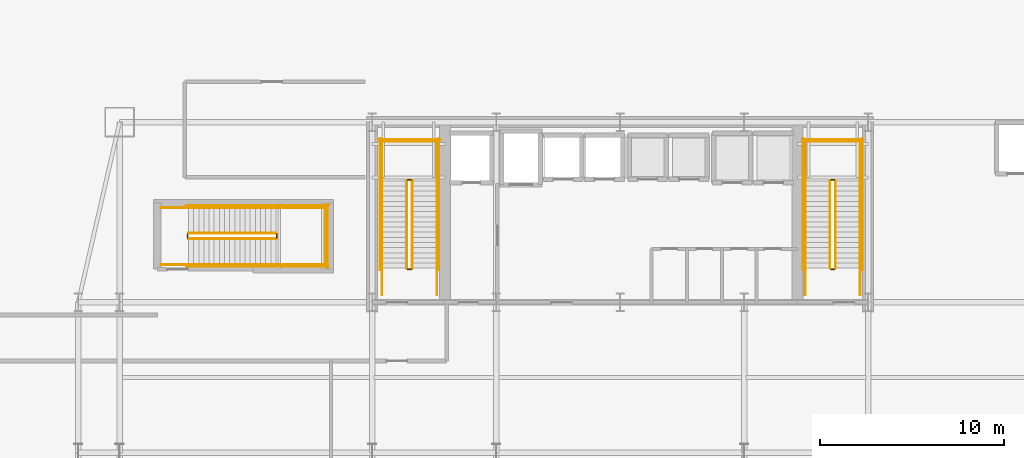
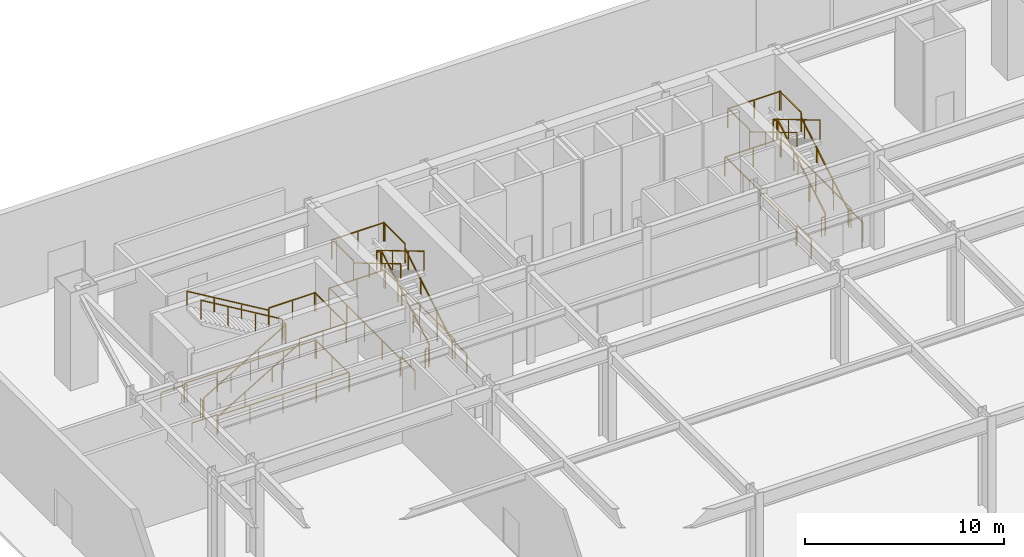
# One storey, part 26 of 30: 42 railings.
"""IFC4 building model written with IfcOpenShell, lengths in metres."""

from ifc_helpers import new_model, si_unit, direction, frame, origin, origin_2d, place, context, subcontext, project, spatial, rectangle, extrude, material, type_object, element, save


model = new_model("IFC4")

# Units and contexts
model_context = context("Model", 3, precision=1e-05, world=origin(), true_north=direction((0.0, 1.0)))
body_context = subcontext(model_context, "Body", "Model", "MODEL_VIEW")
ifc_project = project(units=[si_unit("LENGTHUNIT", "METRE"), si_unit("AREAUNIT", "SQUARE_METRE"), si_unit("VOLUMEUNIT", "CUBIC_METRE"), si_unit("PLANEANGLEUNIT", "RADIAN"), si_unit("MASSUNIT", "GRAM", prefix="KILO")], contexts=[model_context])

# Site, building, storey
site_placement = place(None, origin())
site = spatial("IfcSite", under=ifc_project, at=site_placement, CompositionType="ELEMENT")
building_placement = place(site_placement, origin())
building = spatial("IfcBuilding", under=site, at=building_placement, Name="Haevon Station Towers", CompositionType="ELEMENT")
storey_placement = place(building_placement, origin())
storey = spatial("IfcBuildingStorey", under=building, at=storey_placement, Name="L00", CompositionType="ELEMENT", Elevation=0.0)

# Railings
ifc_material = material(Name="Steel S355", Category="steel")
railing_type_1 = type_object("IfcRailingType", Name="GRD-STR1200", PredefinedType="GUARDRAIL", material=ifc_material)
railing_1_placement = place(storey_placement, frame((26.179931640625, 40.050048828125, 0.166748046875)))
element("IfcRailing", 1, at=railing_1_placement, inside=storey, type_object=railing_type_1, Name="L00 ST1 Stair Guard 1", PredefinedType="GUARDRAIL", context=body_context, shape_type="SweptSolid", body=[
    extrude(rectangle(XDim=0.048095703125, YDim=0.048095703125, at=origin_2d()), frame((0.0, 0.0, 1.17578125), z_axis=(0.0, 0.859299802514, 0.511472237174), x_axis=(-1.0, 0.0, 0.0)), (0.0, 0.0, 1.0), 5.539306640625),
    extrude(rectangle(XDim=0.0419921875, YDim=0.0419921875, at=origin_2d()), origin(), (0.0, 0.0, 1.0), 1.15185546875),
    extrude(rectangle(XDim=0.0419921875, YDim=0.0419921875, at=origin_2d()), frame((0.0, 1.586669921875, 0.9443359375)), (0.0, 0.0, 1.0), 1.15185546875),
    extrude(rectangle(XDim=0.0419921875, YDim=0.0419921875, at=origin_2d()), frame((0.0, 3.17333984375, 1.888916015625)), (0.0, 0.0, 1.0), 1.15185546875),
    extrude(rectangle(XDim=0.0419921875, YDim=0.0419921875, at=origin_2d()), frame((0.0, 4.760009765625, 2.833251953125)), (0.0, 0.0, 1.0), 1.15185546875),
])
railing_2_placement = place(storey_placement, frame((26.1298828125, 44.860107421875, 3.0)))
element("IfcRailing", 2, at=railing_2_placement, inside=storey, type_object=railing_type_1, Name="L00 ST1 Stair Guard 2", PredefinedType="GUARDRAIL", context=body_context, shape_type="SweptSolid", body=[
    extrude(rectangle(XDim=0.048095703125, YDim=0.048095703125, at=origin_2d()), frame((0.0, 0.0, 1.17578125), z_axis=(-1.0, 0.0, 0.0), x_axis=(0.0, -1.0, 0.0)), (0.0, 0.0, 1.0), 0.199951171875),
    extrude(rectangle(XDim=0.0419921875, YDim=0.0419921875, at=origin_2d()), origin(), (0.0, 0.0, 1.0), 1.15185546875),
    extrude(rectangle(XDim=0.0419921875, YDim=0.0419921875, at=origin_2d()), frame((-0.199951171875, 0.0, 0.0)), (0.0, 0.0, 1.0), 1.15185546875),
])
for number, where, name in (
    (3, (27.530029296875, 44.81005859375, 3.0), "L00 ST1 Stair Guard 3"),
    (4, (24.530029296875, 44.81005859375, 3.0), "L00 ST1 Stair Guard 4"),
):
    element("IfcRailing", number, at=place(storey_placement, frame(where)), inside=storey, type_object=railing_type_1, Name=name, PredefinedType="GUARDRAIL", context=body_context, shape_type="SweptSolid", body=[
        extrude(rectangle(XDim=0.048095703125, YDim=0.048095703125, at=origin_2d()), frame((0.0, 0.0, 1.17578125), z_axis=(0.0, 1.0, 0.0), x_axis=(-1.0, 0.0, 0.0)), (0.0, 0.0, 1.0), 2.18994140625),
        extrude(rectangle(XDim=0.0419921875, YDim=0.0419921875, at=origin_2d()), origin(), (0.0, 0.0, 1.0), 1.15185546875),
        extrude(rectangle(XDim=0.0419921875, YDim=0.0419921875, at=origin_2d()), frame((0.0, 2.18994140625, 0.0)), (0.0, 0.0, 1.0), 1.15185546875),
    ])
railing_3_placement = place(storey_placement, frame((27.580078125, 46.949951171875, 3.0)))
element("IfcRailing", 5, at=railing_3_placement, inside=storey, type_object=railing_type_1, Name="L00 ST1 Stair Guard 5", PredefinedType="GUARDRAIL", context=body_context, shape_type="SweptSolid", body=[
    extrude(rectangle(XDim=0.048095703125, YDim=0.048095703125, at=origin_2d()), frame((0.0, 0.0, 1.17578125), z_axis=(-1.0, 0.0, 0.0), x_axis=(0.0, -1.0, 0.0)), (0.0, 0.0, 1.0), 3.10009765625),
    extrude(rectangle(XDim=0.0419921875, YDim=0.0419921875, at=origin_2d()), origin(), (0.0, 0.0, 1.0), 1.15185546875),
    extrude(rectangle(XDim=0.0419921875, YDim=0.0419921875, at=origin_2d()), frame((-1.550048828125, 0.0, 0.0)), (0.0, 0.0, 1.0), 1.15185546875),
    extrude(rectangle(XDim=0.0419921875, YDim=0.0419921875, at=origin_2d()), frame((-3.10009765625, 0.0, 0.0)), (0.0, 0.0, 1.0), 1.15185546875),
])
railing_4_placement = place(storey_placement, frame((25.8798828125, 44.81005859375, 3.166748046875)))
element("IfcRailing", 6, at=railing_4_placement, inside=storey, type_object=railing_type_1, Name="L00 ST1 Stair Guard 6", PredefinedType="GUARDRAIL", context=body_context, shape_type="SweptSolid", body=[
    extrude(rectangle(XDim=0.048095703125, YDim=0.048095703125, at=origin_2d()), frame((0.0, 0.0, 1.17578125), z_axis=(0.0, -0.859299802514, 0.511472237174), x_axis=(1.0, 0.0, 0.0)), (0.0, 0.0, 1.0), 5.539306640625),
    extrude(rectangle(XDim=0.0419921875, YDim=0.0419921875, at=origin_2d()), origin(), (0.0, 0.0, 1.0), 1.15185546875),
    extrude(rectangle(XDim=0.0419921875, YDim=0.0419921875, at=origin_2d()), frame((0.0, -1.586669921875, 0.9443359375)), (0.0, 0.0, 1.0), 1.15185546875),
    extrude(rectangle(XDim=0.0419921875, YDim=0.0419921875, at=origin_2d()), frame((0.0, -3.17333984375, 1.888916015625)), (0.0, 0.0, 1.0), 1.15185546875),
    extrude(rectangle(XDim=0.0419921875, YDim=0.0419921875, at=origin_2d()), frame((0.0, -4.760009765625, 2.833251953125)), (0.0, 0.0, 1.0), 1.15185546875),
])
railing_5_placement = place(storey_placement, frame((26.1298828125, 40.0, 0.0)))
element("IfcRailing", 7, at=railing_5_placement, inside=storey, type_object=railing_type_1, Name="L00 ST1 Stair Guard 7", PredefinedType="GUARDRAIL", context=body_context, shape_type="SweptSolid", body=[
    extrude(rectangle(XDim=0.048095703125, YDim=0.048095703125, at=origin_2d()), frame((0.0, 0.0, 1.17578125), z_axis=(-1.0, 0.0, 0.0), x_axis=(0.0, -1.0, 0.0)), (0.0, 0.0, 1.0), 0.199951171875),
    extrude(rectangle(XDim=0.0419921875, YDim=0.0419921875, at=origin_2d()), origin(), (0.0, 0.0, 1.0), 1.15185546875),
    extrude(rectangle(XDim=0.0419921875, YDim=0.0419921875, at=origin_2d()), frame((-0.199951171875, 0.0, 0.0)), (0.0, 0.0, 1.0), 1.15185546875),
])
for number, where, name in (
    (8, (27.530029296875, 38.60009765625, 0.0), "L00 ST1 Stair Guard 8"),
    (9, (24.530029296875, 38.60009765625, 0.0), "L00 ST1 Stair Guard 9"),
):
    element("IfcRailing", number, at=place(storey_placement, frame(where)), inside=storey, type_object=railing_type_1, Name=name, PredefinedType="GUARDRAIL", context=body_context, shape_type="SweptSolid", body=[
        extrude(rectangle(XDim=0.048095703125, YDim=0.048095703125, at=origin_2d()), frame((0.0, 0.0, 1.17578125), z_axis=(0.0, 1.0, 0.0), x_axis=(-1.0, 0.0, 0.0)), (0.0, 0.0, 1.0), 1.449951171875),
        extrude(rectangle(XDim=0.0419921875, YDim=0.0419921875, at=origin_2d()), origin(), (0.0, 0.0, 1.0), 1.15185546875),
        extrude(rectangle(XDim=0.0419921875, YDim=0.0419921875, at=origin_2d()), frame((0.0, 1.449951171875, 0.0)), (0.0, 0.0, 1.0), 1.15185546875),
    ])
for number, where, name in (
    (10, (27.6298828125, 39.949951171875, 0.0), "L00 ST1 Stair Guard 10"),
    (11, (24.429931640625, 39.949951171875, 0.0), "L00 ST1 Stair Guard 11"),
):
    element("IfcRailing", number, at=place(storey_placement, frame(where)), inside=storey, type_object=railing_type_1, Name=name, PredefinedType="GUARDRAIL", context=body_context, shape_type="SweptSolid", body=[
        extrude(rectangle(XDim=0.048095703125, YDim=0.048095703125, at=origin_2d()), frame((0.0, 0.0, 1.17578125), z_axis=(0.0, 1.0, 0.0), x_axis=(-1.0, 0.0, 0.0)), (0.0, 0.0, 1.0), 7.150146484375),
        extrude(rectangle(XDim=0.0419921875, YDim=0.0419921875, at=origin_2d()), origin(), (0.0, 0.0, 1.0), 1.15185546875),
        extrude(rectangle(XDim=0.0419921875, YDim=0.0419921875, at=origin_2d()), frame((0.0, 1.78759765625, 0.0)), (0.0, 0.0, 1.0), 1.15185546875),
        extrude(rectangle(XDim=0.0419921875, YDim=0.0419921875, at=origin_2d()), frame((0.0, 3.5751953125, 0.0)), (0.0, 0.0, 1.0), 1.15185546875),
        extrude(rectangle(XDim=0.0419921875, YDim=0.0419921875, at=origin_2d()), frame((0.0, 5.362548828125, 0.0)), (0.0, 0.0, 1.0), 1.15185546875),
        extrude(rectangle(XDim=0.0419921875, YDim=0.0419921875, at=origin_2d()), frame((0.0, 7.150146484375, 0.0)), (0.0, 0.0, 1.0), 1.15185546875),
    ])
railing_6_placement = place(storey_placement, frame((27.679931640625, 47.050048828125, 0.0)))
element("IfcRailing", 12, at=railing_6_placement, inside=storey, type_object=railing_type_1, Name="L00 ST1 Stair Guard 12", PredefinedType="GUARDRAIL", context=body_context, shape_type="SweptSolid", body=[
    extrude(rectangle(XDim=0.048095703125, YDim=0.048095703125, at=origin_2d()), frame((0.0, 0.0, 1.17578125), z_axis=(-1.0, 0.0, 0.0), x_axis=(0.0, -1.0, 0.0)), (0.0, 0.0, 1.0), 3.300048828125),
    extrude(rectangle(XDim=0.0419921875, YDim=0.0419921875, at=origin_2d()), origin(), (0.0, 0.0, 1.0), 1.15185546875),
    extrude(rectangle(XDim=0.0419921875, YDim=0.0419921875, at=origin_2d()), frame((-1.64990234375, 0.0, 0.0)), (0.0, 0.0, 1.0), 1.15185546875),
    extrude(rectangle(XDim=0.0419921875, YDim=0.0419921875, at=origin_2d()), frame((-3.300048828125, 0.0, 0.0)), (0.0, 0.0, 1.0), 1.15185546875),
])
railing_7_placement = place(storey_placement, frame((49.219970703125, 40.050048828125, 0.166748046875)))
element("IfcRailing", 13, at=railing_7_placement, inside=storey, type_object=railing_type_1, Name="L00 ST2 Stair Guard 1", PredefinedType="GUARDRAIL", context=body_context, shape_type="SweptSolid", body=[
    extrude(rectangle(XDim=0.048095703125, YDim=0.048095703125, at=origin_2d()), frame((0.0, 0.0, 1.17578125), z_axis=(0.0, 0.859299802514, 0.511472237174), x_axis=(-1.0, 0.0, 0.0)), (0.0, 0.0, 1.0), 5.539306640625),
    extrude(rectangle(XDim=0.0419921875, YDim=0.0419921875, at=origin_2d()), origin(), (0.0, 0.0, 1.0), 1.15185546875),
    extrude(rectangle(XDim=0.0419921875, YDim=0.0419921875, at=origin_2d()), frame((0.0, 1.586669921875, 0.9443359375)), (0.0, 0.0, 1.0), 1.15185546875),
    extrude(rectangle(XDim=0.0419921875, YDim=0.0419921875, at=origin_2d()), frame((0.0, 3.17333984375, 1.888916015625)), (0.0, 0.0, 1.0), 1.15185546875),
    extrude(rectangle(XDim=0.0419921875, YDim=0.0419921875, at=origin_2d()), frame((0.0, 4.760009765625, 2.833251953125)), (0.0, 0.0, 1.0), 1.15185546875),
])
railing_8_placement = place(storey_placement, frame((49.169921875, 44.860107421875, 3.0)))
element("IfcRailing", 14, at=railing_8_placement, inside=storey, type_object=railing_type_1, Name="L00 ST2 Stair Guard 2", PredefinedType="GUARDRAIL", context=body_context, shape_type="SweptSolid", body=[
    extrude(rectangle(XDim=0.048095703125, YDim=0.048095703125, at=origin_2d()), frame((0.0, 0.0, 1.17578125), z_axis=(-1.0, 0.0, 0.0), x_axis=(0.0, -1.0, 0.0)), (0.0, 0.0, 1.0), 0.199951171875),
    extrude(rectangle(XDim=0.0419921875, YDim=0.0419921875, at=origin_2d()), origin(), (0.0, 0.0, 1.0), 1.15185546875),
    extrude(rectangle(XDim=0.0419921875, YDim=0.0419921875, at=origin_2d()), frame((-0.199951171875, 0.0, 0.0)), (0.0, 0.0, 1.0), 1.15185546875),
])
for number, where, name in (
    (15, (50.570068359375, 44.81005859375, 3.0), "L00 ST2 Stair Guard 3"),
    (16, (47.570068359375, 44.81005859375, 3.0), "L00 ST2 Stair Guard 4"),
):
    element("IfcRailing", number, at=place(storey_placement, frame(where)), inside=storey, type_object=railing_type_1, Name=name, PredefinedType="GUARDRAIL", context=body_context, shape_type="SweptSolid", body=[
        extrude(rectangle(XDim=0.048095703125, YDim=0.048095703125, at=origin_2d()), frame((0.0, 0.0, 1.17578125), z_axis=(0.0, 1.0, 0.0), x_axis=(-1.0, 0.0, 0.0)), (0.0, 0.0, 1.0), 2.18994140625),
        extrude(rectangle(XDim=0.0419921875, YDim=0.0419921875, at=origin_2d()), origin(), (0.0, 0.0, 1.0), 1.15185546875),
        extrude(rectangle(XDim=0.0419921875, YDim=0.0419921875, at=origin_2d()), frame((0.0, 2.18994140625, 0.0)), (0.0, 0.0, 1.0), 1.15185546875),
    ])
railing_9_placement = place(storey_placement, frame((50.6201171875, 46.949951171875, 3.0)))
element("IfcRailing", 17, at=railing_9_placement, inside=storey, type_object=railing_type_1, Name="L00 ST2 Stair Guard 5", PredefinedType="GUARDRAIL", context=body_context, shape_type="SweptSolid", body=[
    extrude(rectangle(XDim=0.048095703125, YDim=0.048095703125, at=origin_2d()), frame((0.0, 0.0, 1.17578125), z_axis=(-1.0, 0.0, 0.0), x_axis=(0.0, -1.0, 0.0)), (0.0, 0.0, 1.0), 3.10009765625),
    extrude(rectangle(XDim=0.0419921875, YDim=0.0419921875, at=origin_2d()), origin(), (0.0, 0.0, 1.0), 1.15185546875),
    extrude(rectangle(XDim=0.0419921875, YDim=0.0419921875, at=origin_2d()), frame((-1.550048828125, 0.0, 0.0)), (0.0, 0.0, 1.0), 1.15185546875),
    extrude(rectangle(XDim=0.0419921875, YDim=0.0419921875, at=origin_2d()), frame((-3.10009765625, 0.0, 0.0)), (0.0, 0.0, 1.0), 1.15185546875),
])
railing_10_placement = place(storey_placement, frame((48.919921875, 44.81005859375, 3.166748046875)))
element("IfcRailing", 18, at=railing_10_placement, inside=storey, type_object=railing_type_1, Name="L00 ST2 Stair Guard 6", PredefinedType="GUARDRAIL", context=body_context, shape_type="SweptSolid", body=[
    extrude(rectangle(XDim=0.048095703125, YDim=0.048095703125, at=origin_2d()), frame((0.0, 0.0, 1.17578125), z_axis=(0.0, -0.859299802514, 0.511472237174), x_axis=(1.0, 0.0, 0.0)), (0.0, 0.0, 1.0), 5.539306640625),
    extrude(rectangle(XDim=0.0419921875, YDim=0.0419921875, at=origin_2d()), origin(), (0.0, 0.0, 1.0), 1.15185546875),
    extrude(rectangle(XDim=0.0419921875, YDim=0.0419921875, at=origin_2d()), frame((0.0, -1.586669921875, 0.9443359375)), (0.0, 0.0, 1.0), 1.15185546875),
    extrude(rectangle(XDim=0.0419921875, YDim=0.0419921875, at=origin_2d()), frame((0.0, -3.17333984375, 1.888916015625)), (0.0, 0.0, 1.0), 1.15185546875),
    extrude(rectangle(XDim=0.0419921875, YDim=0.0419921875, at=origin_2d()), frame((0.0, -4.760009765625, 2.833251953125)), (0.0, 0.0, 1.0), 1.15185546875),
])
railing_11_placement = place(storey_placement, frame((49.169921875, 40.0, 0.0)))
element("IfcRailing", 19, at=railing_11_placement, inside=storey, type_object=railing_type_1, Name="L00 ST2 Stair Guard 7", PredefinedType="GUARDRAIL", context=body_context, shape_type="SweptSolid", body=[
    extrude(rectangle(XDim=0.048095703125, YDim=0.048095703125, at=origin_2d()), frame((0.0, 0.0, 1.17578125), z_axis=(-1.0, 0.0, 0.0), x_axis=(0.0, -1.0, 0.0)), (0.0, 0.0, 1.0), 0.199951171875),
    extrude(rectangle(XDim=0.0419921875, YDim=0.0419921875, at=origin_2d()), origin(), (0.0, 0.0, 1.0), 1.15185546875),
    extrude(rectangle(XDim=0.0419921875, YDim=0.0419921875, at=origin_2d()), frame((-0.199951171875, 0.0, 0.0)), (0.0, 0.0, 1.0), 1.15185546875),
])
for number, where, name in (
    (20, (50.570068359375, 38.60009765625, 0.0), "L00 ST2 Stair Guard 8"),
    (21, (47.570068359375, 38.60009765625, 0.0), "L00 ST2 Stair Guard 9"),
):
    element("IfcRailing", number, at=place(storey_placement, frame(where)), inside=storey, type_object=railing_type_1, Name=name, PredefinedType="GUARDRAIL", context=body_context, shape_type="SweptSolid", body=[
        extrude(rectangle(XDim=0.048095703125, YDim=0.048095703125, at=origin_2d()), frame((0.0, 0.0, 1.17578125), z_axis=(0.0, 1.0, 0.0), x_axis=(-1.0, 0.0, 0.0)), (0.0, 0.0, 1.0), 1.449951171875),
        extrude(rectangle(XDim=0.0419921875, YDim=0.0419921875, at=origin_2d()), origin(), (0.0, 0.0, 1.0), 1.15185546875),
        extrude(rectangle(XDim=0.0419921875, YDim=0.0419921875, at=origin_2d()), frame((0.0, 1.449951171875, 0.0)), (0.0, 0.0, 1.0), 1.15185546875),
    ])
for number, where, name in (
    (22, (50.669921875, 39.949951171875, 0.0), "L00 ST2 Stair Guard 10"),
    (23, (47.469970703125, 39.949951171875, 0.0), "L00 ST2 Stair Guard 11"),
):
    element("IfcRailing", number, at=place(storey_placement, frame(where)), inside=storey, type_object=railing_type_1, Name=name, PredefinedType="GUARDRAIL", context=body_context, shape_type="SweptSolid", body=[
        extrude(rectangle(XDim=0.048095703125, YDim=0.048095703125, at=origin_2d()), frame((0.0, 0.0, 1.17578125), z_axis=(0.0, 1.0, 0.0), x_axis=(-1.0, 0.0, 0.0)), (0.0, 0.0, 1.0), 7.150146484375),
        extrude(rectangle(XDim=0.0419921875, YDim=0.0419921875, at=origin_2d()), origin(), (0.0, 0.0, 1.0), 1.15185546875),
        extrude(rectangle(XDim=0.0419921875, YDim=0.0419921875, at=origin_2d()), frame((0.0, 1.78759765625, 0.0)), (0.0, 0.0, 1.0), 1.15185546875),
        extrude(rectangle(XDim=0.0419921875, YDim=0.0419921875, at=origin_2d()), frame((0.0, 3.5751953125, 0.0)), (0.0, 0.0, 1.0), 1.15185546875),
        extrude(rectangle(XDim=0.0419921875, YDim=0.0419921875, at=origin_2d()), frame((0.0, 5.362548828125, 0.0)), (0.0, 0.0, 1.0), 1.15185546875),
        extrude(rectangle(XDim=0.0419921875, YDim=0.0419921875, at=origin_2d()), frame((0.0, 7.150146484375, 0.0)), (0.0, 0.0, 1.0), 1.15185546875),
    ])
railing_12_placement = place(storey_placement, frame((50.719970703125, 47.050048828125, 0.0)))
element("IfcRailing", 24, at=railing_12_placement, inside=storey, type_object=railing_type_1, Name="L00 ST2 Stair Guard 12", PredefinedType="GUARDRAIL", context=body_context, shape_type="SweptSolid", body=[
    extrude(rectangle(XDim=0.048095703125, YDim=0.048095703125, at=origin_2d()), frame((0.0, 0.0, 1.17578125), z_axis=(-1.0, 0.0, 0.0), x_axis=(0.0, -1.0, 0.0)), (0.0, 0.0, 1.0), 3.300048828125),
    extrude(rectangle(XDim=0.0419921875, YDim=0.0419921875, at=origin_2d()), origin(), (0.0, 0.0, 1.0), 1.15185546875),
    extrude(rectangle(XDim=0.0419921875, YDim=0.0419921875, at=origin_2d()), frame((-1.64990234375, 0.0, 0.0)), (0.0, 0.0, 1.0), 1.15185546875),
    extrude(rectangle(XDim=0.0419921875, YDim=0.0419921875, at=origin_2d()), frame((-3.300048828125, 0.0, 0.0)), (0.0, 0.0, 1.0), 1.15185546875),
])
railing_13_placement = place(storey_placement, frame((14.0, 41.64990234375, 0.166748046875)))
element("IfcRailing", 25, at=railing_13_placement, inside=storey, type_object=railing_type_1, Name="L00 ST5 Stair Guard 1", PredefinedType="GUARDRAIL", context=body_context, shape_type="SweptSolid", body=[
    extrude(rectangle(XDim=0.048095703125, YDim=0.048095703125, at=origin_2d()), frame((0.0, 0.0, 1.17578125), z_axis=(0.859299802514, 0.0, 0.511472237174), x_axis=(0.0, 1.0, 0.0)), (0.0, 0.0, 1.0), 5.539306640625),
    extrude(rectangle(XDim=0.0419921875, YDim=0.0419921875, at=origin_2d()), origin(), (0.0, 0.0, 1.0), 1.15185546875),
    extrude(rectangle(XDim=0.0419921875, YDim=0.0419921875, at=origin_2d()), frame((1.586669921875, 0.0, 0.9443359375)), (0.0, 0.0, 1.0), 1.15185546875),
    extrude(rectangle(XDim=0.0419921875, YDim=0.0419921875, at=origin_2d()), frame((3.17333984375, 0.0, 1.888916015625)), (0.0, 0.0, 1.0), 1.15185546875),
    extrude(rectangle(XDim=0.0419921875, YDim=0.0419921875, at=origin_2d()), frame((4.760009765625, 0.0, 2.833251953125)), (0.0, 0.0, 1.0), 1.15185546875),
])
railing_14_placement = place(storey_placement, frame((18.81005859375, 41.699951171875, 3.0)))
element("IfcRailing", 26, at=railing_14_placement, inside=storey, type_object=railing_type_1, Name="L00 ST5 Stair Guard 2", PredefinedType="GUARDRAIL", context=body_context, shape_type="SweptSolid", body=[
    extrude(rectangle(XDim=0.048095703125, YDim=0.048095703125, at=origin_2d()), frame((0.0, 0.0, 1.17578125), z_axis=(0.0, 1.0, 0.0), x_axis=(-1.0, 0.0, 0.0)), (0.0, 0.0, 1.0), 0.199951171875),
    extrude(rectangle(XDim=0.0419921875, YDim=0.0419921875, at=origin_2d()), origin(), (0.0, 0.0, 1.0), 1.15185546875),
    extrude(rectangle(XDim=0.0419921875, YDim=0.0419921875, at=origin_2d()), frame((0.0, 0.199951171875, 0.0)), (0.0, 0.0, 1.0), 1.15185546875),
])
for number, where, name in (
    (27, (18.760009765625, 40.25, 3.0), "L00 ST5 Stair Guard 3"),
    (28, (18.760009765625, 43.35009765625, 3.0), "L00 ST5 Stair Guard 4"),
):
    element("IfcRailing", number, at=place(storey_placement, frame(where)), inside=storey, type_object=railing_type_1, Name=name, PredefinedType="GUARDRAIL", context=body_context, shape_type="SweptSolid", body=[
        extrude(rectangle(XDim=0.048095703125, YDim=0.048095703125, at=origin_2d()), frame((0.0, 0.0, 1.17578125), z_axis=(1.0, 0.0, 0.0), x_axis=(0.0, 1.0, 0.0)), (0.0, 0.0, 1.0), 2.739990234375),
        extrude(rectangle(XDim=0.0419921875, YDim=0.0419921875, at=origin_2d()), origin(), (0.0, 0.0, 1.0), 1.15185546875),
        extrude(rectangle(XDim=0.0419921875, YDim=0.0419921875, at=origin_2d()), frame((1.3701171875, 0.0, 0.0)), (0.0, 0.0, 1.0), 1.15185546875),
        extrude(rectangle(XDim=0.0419921875, YDim=0.0419921875, at=origin_2d()), frame((2.739990234375, 0.0, 0.0)), (0.0, 0.0, 1.0), 1.15185546875),
    ])
railing_15_placement = place(storey_placement, frame((21.449951171875, 40.199951171875, 3.0)))
element("IfcRailing", 29, at=railing_15_placement, inside=storey, type_object=railing_type_1, Name="L00 ST5 Stair Guard 5", PredefinedType="GUARDRAIL", context=body_context, shape_type="SweptSolid", body=[
    extrude(rectangle(XDim=0.048095703125, YDim=0.048095703125, at=origin_2d()), frame((0.0, 0.0, 1.17578125), z_axis=(0.0, 1.0, 0.0), x_axis=(-1.0, 0.0, 0.0)), (0.0, 0.0, 1.0), 3.199951171875),
    extrude(rectangle(XDim=0.0419921875, YDim=0.0419921875, at=origin_2d()), origin(), (0.0, 0.0, 1.0), 1.15185546875),
    extrude(rectangle(XDim=0.0419921875, YDim=0.0419921875, at=origin_2d()), frame((0.0, 1.60009765625, 0.0)), (0.0, 0.0, 1.0), 1.15185546875),
    extrude(rectangle(XDim=0.0419921875, YDim=0.0419921875, at=origin_2d()), frame((0.0, 3.199951171875, 0.0)), (0.0, 0.0, 1.0), 1.15185546875),
])
railing_16_placement = place(storey_placement, frame((18.760009765625, 41.949951171875, 3.166748046875)))
element("IfcRailing", 30, at=railing_16_placement, inside=storey, type_object=railing_type_1, Name="L00 ST5 Stair Guard 6", PredefinedType="GUARDRAIL", context=body_context, shape_type="SweptSolid", body=[
    extrude(rectangle(XDim=0.048095703125, YDim=0.048095703125, at=origin_2d()), frame((0.0, 0.0, 1.17578125), z_axis=(-0.859299802514, 0.0, 0.511472237174), x_axis=(0.0, -1.0, 0.0)), (0.0, 0.0, 1.0), 5.539306640625),
    extrude(rectangle(XDim=0.0419921875, YDim=0.0419921875, at=origin_2d()), origin(), (0.0, 0.0, 1.0), 1.15185546875),
    extrude(rectangle(XDim=0.0419921875, YDim=0.0419921875, at=origin_2d()), frame((-1.586669921875, 0.0, 0.9443359375)), (0.0, 0.0, 1.0), 1.15185546875),
    extrude(rectangle(XDim=0.0419921875, YDim=0.0419921875, at=origin_2d()), frame((-3.17333984375, 0.0, 1.888916015625)), (0.0, 0.0, 1.0), 1.15185546875),
    extrude(rectangle(XDim=0.0419921875, YDim=0.0419921875, at=origin_2d()), frame((-4.760009765625, 0.0, 2.833251953125)), (0.0, 0.0, 1.0), 1.15185546875),
])
railing_17_placement = place(storey_placement, frame((13.949951171875, 41.699951171875, 0.0)))
element("IfcRailing", 31, at=railing_17_placement, inside=storey, type_object=railing_type_1, Name="L00 ST5 Stair Guard 7", PredefinedType="GUARDRAIL", context=body_context, shape_type="SweptSolid", body=[
    extrude(rectangle(XDim=0.048095703125, YDim=0.048095703125, at=origin_2d()), frame((0.0, 0.0, 1.17578125), z_axis=(0.0, 1.0, 0.0), x_axis=(-1.0, 0.0, 0.0)), (0.0, 0.0, 1.0), 0.199951171875),
    extrude(rectangle(XDim=0.0419921875, YDim=0.0419921875, at=origin_2d()), origin(), (0.0, 0.0, 1.0), 1.15185546875),
    extrude(rectangle(XDim=0.0419921875, YDim=0.0419921875, at=origin_2d()), frame((0.0, 0.199951171875, 0.0)), (0.0, 0.0, 1.0), 1.15185546875),
])
for number, where, name in (
    (32, (12.5, 40.25, 0.0), "L00 ST5 Stair Guard 8"),
    (33, (12.5, 43.35009765625, 0.0), "L00 ST5 Stair Guard 9"),
):
    element("IfcRailing", number, at=place(storey_placement, frame(where)), inside=storey, type_object=railing_type_1, Name=name, PredefinedType="GUARDRAIL", context=body_context, shape_type="SweptSolid", body=[
        extrude(rectangle(XDim=0.048095703125, YDim=0.048095703125, at=origin_2d()), frame((0.0, 0.0, 1.17578125), z_axis=(1.0, 0.0, 0.0), x_axis=(0.0, 1.0, 0.0)), (0.0, 0.0, 1.0), 1.5),
        extrude(rectangle(XDim=0.0419921875, YDim=0.0419921875, at=origin_2d()), origin(), (0.0, 0.0, 1.0), 1.15185546875),
        extrude(rectangle(XDim=0.0419921875, YDim=0.0419921875, at=origin_2d()), frame((1.5, 0.0, 0.0)), (0.0, 0.0, 1.0), 1.15185546875),
    ])
for number, where, name in (
    (34, (13.89990234375, 40.14990234375, 0.0), "L00 ST5 Stair Guard 10"),
    (35, (13.89990234375, 43.449951171875, 0.0), "L00 ST5 Stair Guard 11"),
):
    element("IfcRailing", number, at=place(storey_placement, frame(where)), inside=storey, type_object=railing_type_1, Name=name, PredefinedType="GUARDRAIL", context=body_context, shape_type="SweptSolid", body=[
        extrude(rectangle(XDim=0.048095703125, YDim=0.048095703125, at=origin_2d()), frame((0.0, 0.0, 1.17578125), z_axis=(1.0, 0.0, 0.0), x_axis=(0.0, 1.0, 0.0)), (0.0, 0.0, 1.0), 7.7001953125),
        extrude(rectangle(XDim=0.0419921875, YDim=0.0419921875, at=origin_2d()), origin(), (0.0, 0.0, 1.0), 1.15185546875),
        extrude(rectangle(XDim=0.0419921875, YDim=0.0419921875, at=origin_2d()), frame((1.925048828125, 0.0, 0.0)), (0.0, 0.0, 1.0), 1.15185546875),
        extrude(rectangle(XDim=0.0419921875, YDim=0.0419921875, at=origin_2d()), frame((3.85009765625, 0.0, 0.0)), (0.0, 0.0, 1.0), 1.15185546875),
        extrude(rectangle(XDim=0.0419921875, YDim=0.0419921875, at=origin_2d()), frame((5.775146484375, 0.0, 0.0)), (0.0, 0.0, 1.0), 1.15185546875),
        extrude(rectangle(XDim=0.0419921875, YDim=0.0419921875, at=origin_2d()), frame((7.7001953125, 0.0, 0.0)), (0.0, 0.0, 1.0), 1.15185546875),
    ])
railing_18_placement = place(storey_placement, frame((21.550048828125, 40.10009765625, 0.0)))
element("IfcRailing", 36, at=railing_18_placement, inside=storey, type_object=railing_type_1, Name="L00 ST5 Stair Guard 12", PredefinedType="GUARDRAIL", context=body_context, shape_type="SweptSolid", body=[
    extrude(rectangle(XDim=0.048095703125, YDim=0.048095703125, at=origin_2d()), frame((0.0, 0.0, 1.17578125), z_axis=(0.0, 1.0, 0.0), x_axis=(-1.0, 0.0, 0.0)), (0.0, 0.0, 1.0), 3.39990234375),
    extrude(rectangle(XDim=0.0419921875, YDim=0.0419921875, at=origin_2d()), origin(), (0.0, 0.0, 1.0), 1.15185546875),
    extrude(rectangle(XDim=0.0419921875, YDim=0.0419921875, at=origin_2d()), frame((0.0, 1.699951171875, 0.0)), (0.0, 0.0, 1.0), 1.15185546875),
    extrude(rectangle(XDim=0.0419921875, YDim=0.0419921875, at=origin_2d()), frame((0.0, 3.39990234375, 0.0)), (0.0, 0.0, 1.0), 1.15185546875),
])
railing_type_2 = type_object("IfcRailingType", Name="HND-STR900", PredefinedType="HANDRAIL", material=ifc_material)
railing_19_placement = place(storey_placement, frame((27.530029296875, 40.050048828125, 0.166748046875)))
element("IfcRailing", 37, at=railing_19_placement, inside=storey, type_object=railing_type_2, Name="L00 ST1 Stair Handrail 1", PredefinedType="HANDRAIL", context=body_context, shape_type="SweptSolid", body=[
    extrude(rectangle(XDim=0.048095703125, YDim=0.048095703125, at=origin_2d()), frame((0.0, 0.0, 0.8759765625), z_axis=(0.0, 0.859299802514, 0.511472237174), x_axis=(-1.0, 0.0, 0.0)), (0.0, 0.0, 1.0), 5.539306640625),
    extrude(rectangle(XDim=0.0419921875, YDim=0.0419921875, at=origin_2d()), origin(), (0.0, 0.0, 1.0), 0.851806640625),
    extrude(rectangle(XDim=0.0419921875, YDim=0.0419921875, at=origin_2d()), frame((0.0, 1.586669921875, 0.9443359375)), (0.0, 0.0, 1.0), 0.851806640625),
    extrude(rectangle(XDim=0.0419921875, YDim=0.0419921875, at=origin_2d()), frame((0.0, 3.17333984375, 1.888916015625)), (0.0, 0.0, 1.0), 0.851806640625),
    extrude(rectangle(XDim=0.0419921875, YDim=0.0419921875, at=origin_2d()), frame((0.0, 4.760009765625, 2.833251953125)), (0.0, 0.0, 1.0), 0.851806640625),
])
railing_20_placement = place(storey_placement, frame((24.530029296875, 44.81005859375, 3.166748046875)))
element("IfcRailing", 38, at=railing_20_placement, inside=storey, type_object=railing_type_2, Name="L00 ST1 Stair Handrail 2", PredefinedType="HANDRAIL", context=body_context, shape_type="SweptSolid", body=[
    extrude(rectangle(XDim=0.048095703125, YDim=0.048095703125, at=origin_2d()), frame((0.0, 0.0, 0.8759765625), z_axis=(0.0, -0.859299802514, 0.511472237174), x_axis=(1.0, 0.0, 0.0)), (0.0, 0.0, 1.0), 5.539306640625),
    extrude(rectangle(XDim=0.0419921875, YDim=0.0419921875, at=origin_2d()), origin(), (0.0, 0.0, 1.0), 0.851806640625),
    extrude(rectangle(XDim=0.0419921875, YDim=0.0419921875, at=origin_2d()), frame((0.0, -1.586669921875, 0.9443359375)), (0.0, 0.0, 1.0), 0.851806640625),
    extrude(rectangle(XDim=0.0419921875, YDim=0.0419921875, at=origin_2d()), frame((0.0, -3.17333984375, 1.888916015625)), (0.0, 0.0, 1.0), 0.851806640625),
    extrude(rectangle(XDim=0.0419921875, YDim=0.0419921875, at=origin_2d()), frame((0.0, -4.760009765625, 2.833251953125)), (0.0, 0.0, 1.0), 0.851806640625),
])
railing_21_placement = place(storey_placement, frame((50.570068359375, 40.050048828125, 0.166748046875)))
element("IfcRailing", 39, at=railing_21_placement, inside=storey, type_object=railing_type_2, Name="L00 ST2 Stair Handrail 1", PredefinedType="HANDRAIL", context=body_context, shape_type="SweptSolid", body=[
    extrude(rectangle(XDim=0.048095703125, YDim=0.048095703125, at=origin_2d()), frame((0.0, 0.0, 0.8759765625), z_axis=(0.0, 0.859299802514, 0.511472237174), x_axis=(-1.0, 0.0, 0.0)), (0.0, 0.0, 1.0), 5.539306640625),
    extrude(rectangle(XDim=0.0419921875, YDim=0.0419921875, at=origin_2d()), origin(), (0.0, 0.0, 1.0), 0.851806640625),
    extrude(rectangle(XDim=0.0419921875, YDim=0.0419921875, at=origin_2d()), frame((0.0, 1.586669921875, 0.9443359375)), (0.0, 0.0, 1.0), 0.851806640625),
    extrude(rectangle(XDim=0.0419921875, YDim=0.0419921875, at=origin_2d()), frame((0.0, 3.17333984375, 1.888916015625)), (0.0, 0.0, 1.0), 0.851806640625),
    extrude(rectangle(XDim=0.0419921875, YDim=0.0419921875, at=origin_2d()), frame((0.0, 4.760009765625, 2.833251953125)), (0.0, 0.0, 1.0), 0.851806640625),
])
railing_22_placement = place(storey_placement, frame((47.570068359375, 44.81005859375, 3.166748046875)))
element("IfcRailing", 40, at=railing_22_placement, inside=storey, type_object=railing_type_2, Name="L00 ST2 Stair Handrail 2", PredefinedType="HANDRAIL", context=body_context, shape_type="SweptSolid", body=[
    extrude(rectangle(XDim=0.048095703125, YDim=0.048095703125, at=origin_2d()), frame((0.0, 0.0, 0.8759765625), z_axis=(0.0, -0.859299802514, 0.511472237174), x_axis=(1.0, 0.0, 0.0)), (0.0, 0.0, 1.0), 5.539306640625),
    extrude(rectangle(XDim=0.0419921875, YDim=0.0419921875, at=origin_2d()), origin(), (0.0, 0.0, 1.0), 0.851806640625),
    extrude(rectangle(XDim=0.0419921875, YDim=0.0419921875, at=origin_2d()), frame((0.0, -1.586669921875, 0.9443359375)), (0.0, 0.0, 1.0), 0.851806640625),
    extrude(rectangle(XDim=0.0419921875, YDim=0.0419921875, at=origin_2d()), frame((0.0, -3.17333984375, 1.888916015625)), (0.0, 0.0, 1.0), 0.851806640625),
    extrude(rectangle(XDim=0.0419921875, YDim=0.0419921875, at=origin_2d()), frame((0.0, -4.760009765625, 2.833251953125)), (0.0, 0.0, 1.0), 0.851806640625),
])
railing_23_placement = place(storey_placement, frame((14.0, 40.25, 0.166748046875)))
element("IfcRailing", 41, at=railing_23_placement, inside=storey, type_object=railing_type_2, Name="L00 ST5 Stair Handrail 1", PredefinedType="HANDRAIL", context=body_context, shape_type="SweptSolid", body=[
    extrude(rectangle(XDim=0.048095703125, YDim=0.048095703125, at=origin_2d()), frame((0.0, 0.0, 0.8759765625), z_axis=(0.859299802514, 0.0, 0.511472237174), x_axis=(0.0, 1.0, 0.0)), (0.0, 0.0, 1.0), 5.539306640625),
    extrude(rectangle(XDim=0.0419921875, YDim=0.0419921875, at=origin_2d()), origin(), (0.0, 0.0, 1.0), 0.851806640625),
    extrude(rectangle(XDim=0.0419921875, YDim=0.0419921875, at=origin_2d()), frame((1.586669921875, 0.0, 0.9443359375)), (0.0, 0.0, 1.0), 0.851806640625),
    extrude(rectangle(XDim=0.0419921875, YDim=0.0419921875, at=origin_2d()), frame((3.17333984375, 0.0, 1.888916015625)), (0.0, 0.0, 1.0), 0.851806640625),
    extrude(rectangle(XDim=0.0419921875, YDim=0.0419921875, at=origin_2d()), frame((4.760009765625, 0.0, 2.833251953125)), (0.0, 0.0, 1.0), 0.851806640625),
])
railing_24_placement = place(storey_placement, frame((18.760009765625, 43.35009765625, 3.166748046875)))
element("IfcRailing", 42, at=railing_24_placement, inside=storey, type_object=railing_type_2, Name="L00 ST5 Stair Handrail 2", PredefinedType="HANDRAIL", context=body_context, shape_type="SweptSolid", body=[
    extrude(rectangle(XDim=0.048095703125, YDim=0.048095703125, at=origin_2d()), frame((0.0, 0.0, 0.8759765625), z_axis=(-0.859299802514, 0.0, 0.511472237174), x_axis=(0.0, -1.0, 0.0)), (0.0, 0.0, 1.0), 5.539306640625),
    extrude(rectangle(XDim=0.0419921875, YDim=0.0419921875, at=origin_2d()), origin(), (0.0, 0.0, 1.0), 0.851806640625),
    extrude(rectangle(XDim=0.0419921875, YDim=0.0419921875, at=origin_2d()), frame((-1.586669921875, 0.0, 0.9443359375)), (0.0, 0.0, 1.0), 0.851806640625),
    extrude(rectangle(XDim=0.0419921875, YDim=0.0419921875, at=origin_2d()), frame((-3.17333984375, 0.0, 1.888916015625)), (0.0, 0.0, 1.0), 0.851806640625),
    extrude(rectangle(XDim=0.0419921875, YDim=0.0419921875, at=origin_2d()), frame((-4.760009765625, 0.0, 2.833251953125)), (0.0, 0.0, 1.0), 0.851806640625),
])

save(model, "model.ifc")
